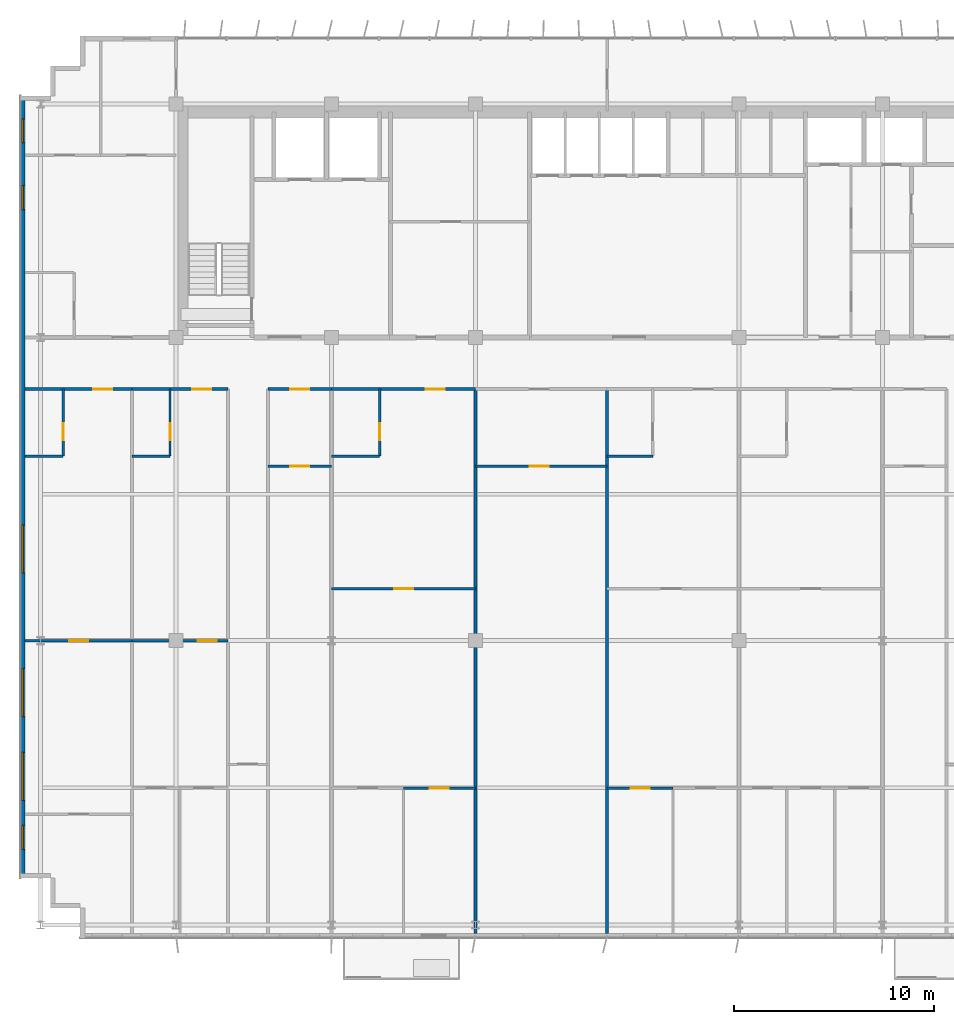
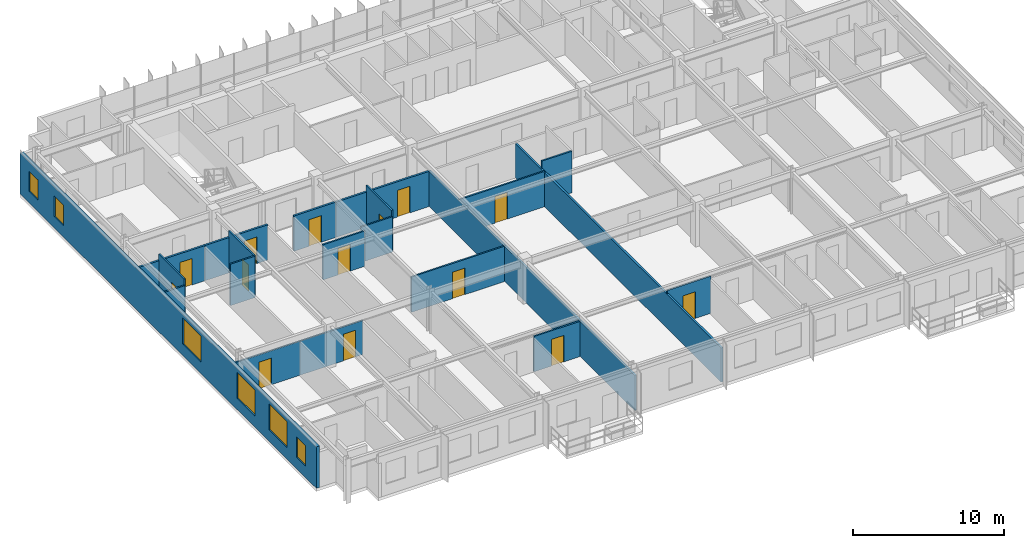
# One storey, part 15 of 21: 21 walls, 14 doors, 6 windows, 20 openings.
"""IFC4 building model written with IfcOpenShell, lengths in metres."""

import ifcopenshell
import ifcopenshell.guid

model = None  # the IFC model being written
_history = None  # IfcOwnerHistory: only IFC2X3 demands one
_inside = {}  # id of a spatial element -> (the spatial element, [elements in it])
_under = {}  # id of a project, library or spatial element -> (it, [spatial elements below it])
_declared = {}  # id of a project -> (the project, [libraries it declares])
_typed = {}  # id of a type object -> (the type object, [elements of that type])
_made_of = {}  # id of a material, layer set ... -> (it, [elements and type objects made of it])


def new_model(schema):
    """Start an empty IFC model of exactly this schema.

    Asked for "IFC4X3", IfcOpenShell would pick the latest addendum, in which some entities
    have other attributes; the version numbers below select the first issue.
    IFC2X3 requires an IfcOwnerHistory on every rooted entity: one is made here for all.
    """
    global model, _history
    if schema == "IFC4X3":
        model = ifcopenshell.file(schema_version=(4, 3, 0, 0))
    else:
        model = ifcopenshell.file(schema=schema)
    _inside.clear()
    _under.clear()
    _declared.clear()
    _typed.clear()
    _made_of.clear()
    _history = None
    if model.schema == "IFC2X3":
        org = make("IfcOrganization", Name="unknown")
        user = make(
            "IfcPersonAndOrganization",
            ThePerson=make("IfcPerson", FamilyName="unknown"),
            TheOrganization=org,
        )
        app = make(
            "IfcApplication",
            ApplicationDeveloper=org,
            Version="unknown",
            ApplicationFullName="unknown",
            ApplicationIdentifier="unknown",
        )
        _history = make(
            "IfcOwnerHistory",
            OwningUser=user,
            OwningApplication=app,
            ChangeAction="ADDED",
            CreationDate=0,
        )
    return model


def make(cls, **values):
    """One entity of the class cls with the attributes given. An attribute that is None is left unset."""
    return model.create_entity(
        cls, **{name: value for name, value in values.items() if value is not None}
    )


def rooted(cls, **values):
    """An entity with a GlobalId (a new one), such as an element, a storey or a relation."""
    return make(cls, GlobalId=ifcopenshell.guid.new(), OwnerHistory=_history, **values)


def si_unit(unit_type, name, prefix=None):
    """IfcSIUnit, for example si_unit("LENGTHUNIT", "METRE", prefix="MILLI")."""
    return make("IfcSIUnit", UnitType=unit_type, Prefix=prefix, Name=name)


def assignment(units):
    """IfcUnitAssignment: the units of a project."""
    return None if units is None else make("IfcUnitAssignment", Units=units)


def point(xyz):
    """IfcCartesianPoint."""
    return None if xyz is None else make("IfcCartesianPoint", Coordinates=xyz)


def direction(xyz):
    """IfcDirection."""
    return None if xyz is None else make("IfcDirection", DirectionRatios=xyz)


def frame(location, z_axis=None, x_axis=None):
    """IfcAxis2Placement3D, a coordinate frame: its origin and axes. An axis left out is left unset."""
    return make(
        "IfcAxis2Placement3D",
        Location=point(location),
        Axis=direction(z_axis),
        RefDirection=direction(x_axis),
    )


def frame_2d(location, x_axis=None):
    """IfcAxis2Placement2D, a coordinate frame in the plane: its origin and x axis."""
    return make(
        "IfcAxis2Placement2D", Location=point(location), RefDirection=direction(x_axis)
    )


def origin():
    """The frame at (0, 0, 0) with its axes left unset."""
    return frame((0.0, 0.0, 0.0))


def place(relative_to, where):
    """IfcLocalPlacement: puts the frame where relative to a parent placement (None: the world)."""
    return make(
        "IfcLocalPlacement", PlacementRelTo=relative_to, RelativePlacement=where
    )


def context(
    kind, dimensions, precision=None, world=None, true_north=None, identifier=None
):
    """IfcGeometricRepresentationContext, for example the 3D "Model" context."""
    return make(
        "IfcGeometricRepresentationContext",
        ContextIdentifier=identifier,
        ContextType=kind,
        CoordinateSpaceDimension=dimensions,
        Precision=precision,
        WorldCoordinateSystem=world,
        TrueNorth=true_north,
    )


def subcontext(parent, identifier, kind, view, scale=None):
    """IfcGeometricRepresentationSubContext, for example "Body" below "Model"."""
    return make(
        "IfcGeometricRepresentationSubContext",
        ContextIdentifier=identifier,
        ContextType=kind,
        ParentContext=parent,
        TargetScale=scale,
        TargetView=view,
    )


def project(units=None, contexts=None):
    """IfcProject with its units and contexts."""
    return rooted(
        "IfcProject",
        Name="project",
        RepresentationContexts=contexts,
        UnitsInContext=assignment(units),
    )


def spatial(cls, under=None, at=None, **own):
    """A site, building, storey or space (cls), placed at a placement, below another one or the project."""
    s = rooted(cls, ObjectPlacement=at, **own)
    if under is not None:
        _under.setdefault(under.id(), (under, []))[1].append(s)
    return s


def profile(cls, at=None, kind="AREA", **sizes):
    """A parametric profile (cls). Its sizes go by their IFC names, for example OverallWidth=200.0."""
    return make(cls, ProfileType=kind, Position=at, **sizes)


def rectangle(**sizes):
    """IfcRectangleProfileDef."""
    return profile("IfcRectangleProfileDef", **sizes)


def extrude(swept, where, along, depth):
    """IfcExtrudedAreaSolid: the profile swept, set in the frame where, extruded along a direction by depth."""
    return make(
        "IfcExtrudedAreaSolid",
        SweptArea=swept,
        Position=where,
        ExtrudedDirection=direction(along),
        Depth=depth,
    )


def shape(context_of_items, identifier, shape_type, items):
    """IfcShapeRepresentation: the items that make up one representation, for example the "Body"."""
    return make(
        "IfcShapeRepresentation",
        ContextOfItems=context_of_items,
        RepresentationIdentifier=identifier,
        RepresentationType=shape_type,
        Items=items,
    )


def source(mapping_origin, context_of_items, identifier, shape_type, items):
    """IfcRepresentationMap: a shape defined once, which mapped items show again and again."""
    return make(
        "IfcRepresentationMap",
        MappingOrigin=mapping_origin,
        MappedRepresentation=shape(context_of_items, identifier, shape_type, items),
    )


def transform(
    local_origin,
    x_axis=None,
    y_axis=None,
    z_axis=None,
    scale=None,
    scale2=None,
    scale3=None,
    uniform=True,
):
    """IfcCartesianTransformationOperator3D, or its non-uniform kind. x_axis, y_axis, z_axis: its Axis1, 2, 3."""
    if uniform:
        return make(
            "IfcCartesianTransformationOperator3D",
            Axis1=direction(x_axis),
            Axis2=direction(y_axis),
            LocalOrigin=point(local_origin),
            Scale=scale,
            Axis3=direction(z_axis),
        )
    return make(
        "IfcCartesianTransformationOperator3DnonUniform",
        Axis1=direction(x_axis),
        Axis2=direction(y_axis),
        LocalOrigin=point(local_origin),
        Scale=scale,
        Axis3=direction(z_axis),
        Scale2=scale2,
        Scale3=scale3,
    )


def mapped(mapping_source, mapping_target):
    """IfcMappedItem: shows the shape of a source again, moved by a transform."""
    return make(
        "IfcMappedItem", MappingSource=mapping_source, MappingTarget=mapping_target
    )


def material(Name=None, Category=None):
    """IfcMaterial."""
    return make("IfcMaterial", Name=Name, Category=Category)


def layer(
    of_material, thickness, ventilated=None, Name=None, Category=None, Priority=None
):
    """IfcMaterialLayer: one layer of a wall or slab, of a material (None: an air gap)."""
    return make(
        "IfcMaterialLayer",
        Material=of_material,
        LayerThickness=thickness,
        IsVentilated=ventilated,
        Name=Name,
        Category=Category,
        Priority=Priority,
    )


def layer_set(layers, Name=None):
    """IfcMaterialLayerSet."""
    return make("IfcMaterialLayerSet", MaterialLayers=layers, LayerSetName=Name)


def made_of(thing, what):
    """Note that an element or type object is made of a material, layer set ...; save() writes the relation."""
    if what is not None:
        _made_of.setdefault(what.id(), (what, []))[1].append(thing)
    return thing


def type_object(cls, material=None, **own):
    """A type object (cls), such as IfcWallType, which elements share."""
    return made_of(rooted(cls, **own), material)


def element(
    cls,
    number,
    at=None,
    inside=None,
    cuts=None,
    type_object=None,
    material=None,
    context=None,
    identifier="Body",
    shape_type=None,
    held_by="IfcProductDefinitionShape",
    body=None,
    shapes=None,
    **own,
):
    """One element of the class cls, such as IfcWall. Its Tag is "e" and its number.

    at: its placement. inside: the storey or other place that contains it. cuts: it is an
    opening in that element (IfcRelVoidsElement). A single representation is given by context,
    identifier, shape_type and body (its items); several are given by shapes. held_by: the class
    of the entity that holds the representations. save() writes the other relations.
    """
    e = rooted(cls, Tag="e%d" % number, ObjectPlacement=at, **own)
    if body is not None:
        shapes = [shape(context, identifier, shape_type, body)]
    if shapes is not None:
        e.Representation = make(held_by, Representations=shapes)
    if inside is not None:
        _inside.setdefault(inside.id(), (inside, []))[1].append(e)
    if cuts is not None:
        rooted(
            "IfcRelVoidsElement", RelatingBuildingElement=cuts, RelatedOpeningElement=e
        )
    if type_object is not None:
        _typed.setdefault(type_object.id(), (type_object, []))[1].append(e)
    return made_of(e, material)


def fill(opening, filler):
    """IfcRelFillsElement: the door or window that sits in an opening."""
    return rooted(
        "IfcRelFillsElement",
        RelatingOpeningElement=opening,
        RelatedBuildingElement=filler,
    )


def aggregate(whole, parts):
    """IfcRelAggregates: a whole, such as a stair, and the parts it consists of."""
    return rooted("IfcRelAggregates", RelatingObject=whole, RelatedObjects=parts)


def save(model, path):
    """Write the relations noted so far, then the file.

    IfcRelAggregates (storeys below a building ...), IfcRelContainedInSpatialStructure (elements
    in a storey), IfcRelDefinesByType, IfcRelAssociatesMaterial and IfcRelDeclares: one each for
    every whole, place, type object, material and project.
    """
    for whole, parts in _under.values():
        aggregate(whole, parts)
    for where, things in _inside.values():
        rooted(
            "IfcRelContainedInSpatialStructure",
            RelatedElements=things,
            RelatingStructure=where,
        )
    for kind, things in _typed.values():
        rooted("IfcRelDefinesByType", RelatedObjects=things, RelatingType=kind)
    for what, things in _made_of.values():
        rooted("IfcRelAssociatesMaterial", RelatedObjects=things, RelatingMaterial=what)
    for by, libraries in _declared.values():
        rooted("IfcRelDeclares", RelatingContext=by, RelatedDefinitions=libraries)
    model.write(path)


model = new_model("IFC4")

# Units and contexts
model_context = context("Model", 3, precision=1e-05, world=origin(), true_north=direction((0.0, 1.0)))
body_context = subcontext(model_context, "Body", "Model", "MODEL_VIEW")
ifc_project = project(units=[si_unit("LENGTHUNIT", "METRE"), si_unit("AREAUNIT", "SQUARE_METRE"), si_unit("VOLUMEUNIT", "CUBIC_METRE"), si_unit("PLANEANGLEUNIT", "RADIAN"), si_unit("MASSUNIT", "GRAM", prefix="KILO")], contexts=[model_context])

# Site, building, storey
site_placement = place(None, origin())
site = spatial("IfcSite", under=ifc_project, at=site_placement, CompositionType="ELEMENT")
building_placement = place(site_placement, origin())
building = spatial("IfcBuilding", under=site, at=building_placement, Name="Trelvane Seafront Commons", CompositionType="ELEMENT")
storey_placement = place(building_placement, frame((0.0, 0.0, 135.699951171875)))
storey = spatial("IfcBuildingStorey", under=building, at=storey_placement, Name="L35", CompositionType="ELEMENT", Elevation=135.699951171875)

# Wall, openings, windows
ifc_material_1 = material(Name="Precast concrete C40/50", Category="concrete")
ifc_layer_1 = layer(ifc_material_1, 0.239990234375, Name="ARCH-WALL-EXT240")
ifc_layer_set_1 = layer_set([ifc_layer_1], Name="Precast concrete C40/50")
wall_type_1 = type_object("IfcWallType", Name="ARCH-WALL-EXT240", PredefinedType="SOLIDWALL", material=ifc_layer_set_1)
wall_1_placement = place(storey_placement, frame((7.919921875, 6.300048828125, 0.0), z_axis=(0.0, 0.0, 1.0), x_axis=(0.0, 1.0, 0.0)))
wall_1 = element("IfcWall", 1, at=wall_1_placement, inside=storey, type_object=wall_type_1, Name="EW-L35-00679", PredefinedType="SOLIDWALL", context=body_context, shape_type="SweptSolid", body=[
    extrude(rectangle(XDim=39.199951171875, YDim=0.239990234375, at=frame_2d((19.60009765625, 0.0))), origin(), (0.0, 0.0, 1.0), 3.35009765625),
])
opening_1_placement = place(wall_1_placement, frame((1.449951171875, 0.0, 0.919921875)))
opening_1 = element("IfcOpeningElement", 2, at=opening_1_placement, cuts=wall_1, Name="Opening W05", PredefinedType="OPENING", context=body_context, shape_type="SweptSolid", body=[
    extrude(rectangle(XDim=1.199951171875, YDim=1.64990234375, at=frame_2d((0.60009765625, 0.824951171875))), frame((0.0, 0.1298828125, 0.0), z_axis=(0.0, -1.0, 0.0), x_axis=(1.0, 0.0, 0.0)), (0.0, 0.0, 1.0), 0.260009765625),
])
opening_2_placement = place(wall_1_placement, frame((3.89990234375, 0.0, 0.919921875)))
opening_2 = element("IfcOpeningElement", 3, at=opening_2_placement, cuts=wall_1, Name="Opening W08", PredefinedType="OPENING", context=body_context, shape_type="SweptSolid", body=[
    extrude(rectangle(XDim=2.39990234375, YDim=2.10009765625, at=frame_2d((1.199951171875, 1.050048828125))), frame((0.0, 0.1298828125, 0.0), z_axis=(0.0, -1.0, 0.0), x_axis=(1.0, 0.0, 0.0)), (0.0, 0.0, 1.0), 0.260009765625),
])
opening_3_placement = place(wall_1_placement, frame((8.10009765625, 0.0, 0.919921875)))
opening_3 = element("IfcOpeningElement", 4, at=opening_3_placement, cuts=wall_1, Name="Opening W08", PredefinedType="OPENING", context=body_context, shape_type="SweptSolid", body=[
    extrude(rectangle(XDim=2.39990234375, YDim=2.10009765625, at=frame_2d((1.199951171875, 1.050048828125))), frame((0.0, 0.1298828125, 0.0), z_axis=(0.0, -1.0, 0.0), x_axis=(1.0, 0.0, 0.0)), (0.0, 0.0, 1.0), 0.260009765625),
])
opening_4_placement = place(wall_1_placement, frame((15.300048828125, 0.0, 0.919921875)))
opening_4 = element("IfcOpeningElement", 5, at=opening_4_placement, cuts=wall_1, Name="Opening W08", PredefinedType="OPENING", context=body_context, shape_type="SweptSolid", body=[
    extrude(rectangle(XDim=2.39990234375, YDim=2.10009765625, at=frame_2d((1.199951171875, 1.050048828125))), frame((0.0, 0.1298828125, 0.0), z_axis=(0.0, -1.0, 0.0), x_axis=(1.0, 0.0, 0.0)), (0.0, 0.0, 1.0), 0.260009765625),
])
opening_5_placement = place(wall_1_placement, frame((33.5, 0.0, 0.919921875)))
opening_5 = element("IfcOpeningElement", 6, at=opening_5_placement, cuts=wall_1, Name="Opening W05", PredefinedType="OPENING", context=body_context, shape_type="SweptSolid", body=[
    extrude(rectangle(XDim=1.199951171875, YDim=1.64990234375, at=frame_2d((0.60009765625, 0.824951171875))), frame((0.0, 0.1298828125, 0.0), z_axis=(0.0, -1.0, 0.0), x_axis=(1.0, 0.0, 0.0)), (0.0, 0.0, 1.0), 0.260009765625),
])
opening_6_placement = place(wall_1_placement, frame((36.85009765625, 0.0, 0.919921875)))
opening_6 = element("IfcOpeningElement", 7, at=opening_6_placement, cuts=wall_1, Name="Opening W05", PredefinedType="OPENING", context=body_context, shape_type="SweptSolid", body=[
    extrude(rectangle(XDim=1.199951171875, YDim=1.64990234375, at=frame_2d((0.60009765625, 0.824951171875))), frame((0.0, 0.1298828125, 0.0), z_axis=(0.0, -1.0, 0.0), x_axis=(1.0, 0.0, 0.0)), (0.0, 0.0, 1.0), 0.260009765625),
])
ifc_material_2 = material(Name="Low-E coastal double glazing", Category="glass")
window_type_1 = type_object("IfcWindowType", Name="ARCH-WIN-W08", PartitioningType="SINGLE_PANEL", PredefinedType="WINDOW", material=ifc_material_2)
shared_shape_1 = source(origin(), body_context, "Body", "SweptSolid", [
    extrude(rectangle(XDim=2.39990234375, YDim=2.10009765625, at=frame_2d((1.199951171875, 1.050048828125))), frame((0.0, 0.030029296875, 0.0), z_axis=(0.0, -1.0, 0.0), x_axis=(1.0, 0.0, 0.0)), (0.0, 0.0, 1.0), 0.06005859375),
])
window_1_placement = place(opening_2_placement, origin())
window_1 = element("IfcWindow", 8, at=window_1_placement, inside=storey, type_object=window_type_1, Name="WIN-L35-EW-00791", OverallHeight=2.10009765625, OverallWidth=2.39990234375, PartitioningType="SINGLE_PANEL", PredefinedType="WINDOW", context=body_context, shape_type="MappedRepresentation", body=[
    mapped(shared_shape_1, transform((0.0, 0.0, 0.0), x_axis=(1.0, 0.0, 0.0), y_axis=(0.0, 1.0, 0.0), z_axis=(0.0, 0.0, 1.0), scale=1.0)),
])
fill(opening_2, window_1)
window_2_placement = place(opening_3_placement, origin())
window_2 = element("IfcWindow", 9, at=window_2_placement, inside=storey, type_object=window_type_1, Name="WIN-L35-EW-00792", OverallHeight=2.10009765625, OverallWidth=2.39990234375, PartitioningType="SINGLE_PANEL", PredefinedType="WINDOW", context=body_context, shape_type="MappedRepresentation", body=[
    mapped(shared_shape_1, transform((0.0, 0.0, 0.0), x_axis=(1.0, 0.0, 0.0), y_axis=(0.0, 1.0, 0.0), z_axis=(0.0, 0.0, 1.0), scale=1.0)),
])
fill(opening_3, window_2)
window_3_placement = place(opening_4_placement, origin())
window_3 = element("IfcWindow", 10, at=window_3_placement, inside=storey, type_object=window_type_1, Name="WIN-L35-EW-00793", OverallHeight=2.10009765625, OverallWidth=2.39990234375, PartitioningType="SINGLE_PANEL", PredefinedType="WINDOW", context=body_context, shape_type="MappedRepresentation", body=[
    mapped(shared_shape_1, transform((0.0, 0.0, 0.0), x_axis=(1.0, 0.0, 0.0), y_axis=(0.0, 1.0, 0.0), z_axis=(0.0, 0.0, 1.0), scale=1.0)),
])
fill(opening_4, window_3)
window_type_2 = type_object("IfcWindowType", Name="ARCH-WIN-W05", PartitioningType="SINGLE_PANEL", PredefinedType="WINDOW", material=ifc_material_2)
shared_shape_2 = source(origin(), body_context, "Body", "SweptSolid", [
    extrude(rectangle(XDim=1.199951171875, YDim=1.64990234375, at=frame_2d((0.60009765625, 0.824951171875))), frame((0.0, 0.030029296875, 0.0), z_axis=(0.0, -1.0, 0.0), x_axis=(1.0, 0.0, 0.0)), (0.0, 0.0, 1.0), 0.06005859375),
])
window_4_placement = place(opening_1_placement, origin())
window_4 = element("IfcWindow", 11, at=window_4_placement, inside=storey, type_object=window_type_2, Name="WIN-L35-EW-00790", OverallHeight=1.64990234375, OverallWidth=1.199951171875, PartitioningType="SINGLE_PANEL", PredefinedType="WINDOW", context=body_context, shape_type="MappedRepresentation", body=[
    mapped(shared_shape_2, transform((0.0, 0.0, 0.0), x_axis=(1.0, 0.0, 0.0), y_axis=(0.0, 1.0, 0.0), z_axis=(0.0, 0.0, 1.0), scale=1.0)),
])
fill(opening_1, window_4)
window_5_placement = place(opening_5_placement, origin())
window_5 = element("IfcWindow", 12, at=window_5_placement, inside=storey, type_object=window_type_2, Name="WIN-L35-EW-00794", OverallHeight=1.64990234375, OverallWidth=1.199951171875, PartitioningType="SINGLE_PANEL", PredefinedType="WINDOW", context=body_context, shape_type="MappedRepresentation", body=[
    mapped(shared_shape_2, transform((0.0, 0.0, 0.0), x_axis=(1.0, 0.0, 0.0), y_axis=(0.0, 1.0, 0.0), z_axis=(0.0, 0.0, 1.0), scale=1.0)),
])
fill(opening_5, window_5)
window_6_placement = place(opening_6_placement, origin())
window_6 = element("IfcWindow", 13, at=window_6_placement, inside=storey, type_object=window_type_2, Name="WIN-L35-EW-00795", OverallHeight=1.64990234375, OverallWidth=1.199951171875, PartitioningType="SINGLE_PANEL", PredefinedType="WINDOW", context=body_context, shape_type="MappedRepresentation", body=[
    mapped(shared_shape_2, transform((0.0, 0.0, 0.0), x_axis=(1.0, 0.0, 0.0), y_axis=(0.0, 1.0, 0.0), z_axis=(0.0, 0.0, 1.0), scale=1.0)),
])
fill(opening_6, window_6)

# Wall, opening, door
ifc_material_3 = material(Name="Gypsum Drywall Acoustic Partition")
ifc_layer_2 = layer(ifc_material_3, 0.1201171875, Name="ARCH-WALL-PART120")
ifc_layer_set_2 = layer_set([ifc_layer_2], Name="Gypsum Drywall Acoustic Partition")
wall_type_2 = type_object("IfcWallType", Name="ARCH-WALL-PART120", PredefinedType="PARTITIONING", material=ifc_layer_set_2)
wall_2_placement = place(storey_placement, frame((8.0400390625, 18.199951171875, 0.0), z_axis=(0.0, 0.0, 1.0), x_axis=(1.0, 0.0, 0.0)))
wall_2 = element("IfcWall", 14, at=wall_2_placement, inside=storey, type_object=wall_type_2, Name="W-L35-U1-KL-058", PredefinedType="PARTITIONING", context=body_context, shape_type="SweptSolid", body=[
    extrude(rectangle(XDim=5.35986328125, YDim=0.1201171875, at=frame_2d((2.679931640625, 0.0))), origin(), (0.0, 0.0, 1.0), 2.75),
])
opening_7_placement = place(wall_2_placement, frame((2.205078125, 0.0, 0.0)))
opening_7 = element("IfcOpeningElement", 15, at=opening_7_placement, cuts=wall_2, Name="Opening D-L35-31", PredefinedType="OPENING", context=body_context, shape_type="SweptSolid", body=[
    extrude(rectangle(XDim=0.949951171875, YDim=2.14990234375, at=frame_2d((0.47509765625, 1.074951171875))), frame((0.0, 0.070068359375, 0.0), z_axis=(0.0, -1.0, 0.0), x_axis=(1.0, 0.0, 0.0)), (0.0, 0.0, 1.0), 0.14013671875),
])
ifc_material_4 = material(Name="Acoustic timber door leaf", Category="wood")
door_type_1 = type_object("IfcDoorType", Name="ARCH-DR-INT950", OperationType="NOTDEFINED", PredefinedType="DOOR", material=ifc_material_4)
shared_shape_3 = source(origin(), body_context, "Body", "SweptSolid", [
    extrude(rectangle(XDim=0.949951171875, YDim=2.14990234375, at=frame_2d((0.47509765625, 1.074951171875))), frame((0.0, 0.02490234375, 0.0), z_axis=(0.0, -1.0, 0.0), x_axis=(1.0, 0.0, 0.0)), (0.0, 0.0, 1.0), 0.050048828125),
])
door_1_placement = place(opening_7_placement, origin())
door_1 = element("IfcDoor", 16, at=door_1_placement, inside=storey, type_object=door_type_1, Name="L35 Door 31", OperationType="SINGLE_SWING_LEFT", OverallHeight=2.14990234375, OverallWidth=0.949951171875, PredefinedType="DOOR", context=body_context, shape_type="MappedRepresentation", body=[
    mapped(shared_shape_3, transform((0.0, 0.0, 0.0), x_axis=(1.0, 0.0, 0.0), y_axis=(0.0, 1.0, 0.0), z_axis=(0.0, 0.0, 1.0), scale=1.0)),
])
fill(opening_7, door_1)

wall_3_placement = place(storey_placement, frame((9.93994140625, 27.449951171875, 0.0), z_axis=(0.0, 0.0, 1.0), x_axis=(0.0, 1.0, 0.0)))
wall_3 = element("IfcWall", 17, at=wall_3_placement, inside=storey, type_object=wall_type_2, Name="W-L35-U1-BE-059", PredefinedType="PARTITIONING", context=body_context, shape_type="SweptSolid", body=[
    extrude(rectangle(XDim=3.35009765625, YDim=0.1201171875, at=frame_2d((1.675048828125, 0.0))), origin(), (0.0, 0.0, 1.0), 3.35009765625),
])
opening_8_placement = place(wall_3_placement, frame((0.800048828125, 0.0, 0.0)))
opening_8 = element("IfcOpeningElement", 18, at=opening_8_placement, cuts=wall_3, Name="Opening D-L35-32", PredefinedType="OPENING", context=body_context, shape_type="SweptSolid", body=[
    extrude(rectangle(XDim=0.85009765625, YDim=2.10009765625, at=frame_2d((0.425048828125, 1.050048828125))), frame((0.0, 0.070068359375, 0.0), z_axis=(0.0, -1.0, 0.0), x_axis=(1.0, 0.0, 0.0)), (0.0, 0.0, 1.0), 0.14013671875),
])
door_type_2 = type_object("IfcDoorType", Name="ARCH-DR-INT850", OperationType="NOTDEFINED", PredefinedType="DOOR", material=ifc_material_4)
shared_shape_4 = source(origin(), body_context, "Body", "SweptSolid", [
    extrude(rectangle(XDim=0.85009765625, YDim=2.10009765625, at=frame_2d((0.425048828125, 1.050048828125))), frame((0.0, 0.02490234375, 0.0), z_axis=(0.0, -1.0, 0.0), x_axis=(1.0, 0.0, 0.0)), (0.0, 0.0, 1.0), 0.050048828125),
])
door_2_placement = place(opening_8_placement, origin())
door_2 = element("IfcDoor", 19, at=door_2_placement, inside=storey, type_object=door_type_2, Name="L35 Door 32", OperationType="SINGLE_SWING_RIGHT", OverallHeight=2.10009765625, OverallWidth=0.85009765625, PredefinedType="DOOR", context=body_context, shape_type="MappedRepresentation", body=[
    mapped(shared_shape_4, transform((0.0, 0.0, 0.0), x_axis=(1.0, 0.0, 0.0), y_axis=(0.0, 1.0, 0.0), z_axis=(0.0, 0.0, 1.0), scale=1.0)),
])
fill(opening_8, door_2)

# Wall
wall_4_placement = place(storey_placement, frame((8.0400390625, 27.449951171875, 0.0), z_axis=(0.0, 0.0, 1.0), x_axis=(1.0, 0.0, 0.0)))
element("IfcWall", 20, at=wall_4_placement, inside=storey, type_object=wall_type_2, Name="W-L35-U1-BS-060", PredefinedType="PARTITIONING", context=body_context, shape_type="SweptSolid", body=[
    extrude(rectangle(XDim=1.89990234375, YDim=0.1201171875, at=frame_2d((0.949951171875, 0.0))), origin(), (0.0, 0.0, 1.0), 2.85009765625),
])

# Wall, opening, door
wall_5_placement = place(storey_placement, frame((13.39990234375, 18.199951171875, 0.0), z_axis=(0.0, 0.0, 1.0), x_axis=(1.0, 0.0, 0.0)))
wall_5 = element("IfcWall", 21, at=wall_5_placement, inside=storey, type_object=wall_type_2, Name="W-L35-U2-KL-063", PredefinedType="PARTITIONING", context=body_context, shape_type="SweptSolid", body=[
    extrude(rectangle(XDim=4.800048828125, YDim=0.1201171875, at=frame_2d((2.39990234375, 0.0))), origin(), (0.0, 0.0, 1.0), 2.75),
])
opening_9_placement = place(wall_5_placement, frame((3.2880859375, 0.0, 0.0)))
opening_9 = element("IfcOpeningElement", 22, at=opening_9_placement, cuts=wall_5, Name="Opening D-L35-35", PredefinedType="OPENING", context=body_context, shape_type="SweptSolid", body=[
    extrude(rectangle(XDim=0.949951171875, YDim=2.14990234375, at=frame_2d((0.47509765625, 1.074951171875))), frame((0.0, 0.070068359375, 0.0), z_axis=(0.0, -1.0, 0.0), x_axis=(1.0, 0.0, 0.0)), (0.0, 0.0, 1.0), 0.14013671875),
])
door_3_placement = place(opening_9_placement, origin())
door_3 = element("IfcDoor", 23, at=door_3_placement, inside=storey, type_object=door_type_1, Name="L35 Door 35", OperationType="SINGLE_SWING_LEFT", OverallHeight=2.14990234375, OverallWidth=0.949951171875, PredefinedType="DOOR", context=body_context, shape_type="MappedRepresentation", body=[
    mapped(shared_shape_3, transform((0.0, 0.0, 0.0), x_axis=(1.0, 0.0, 0.0), y_axis=(0.0, 1.0, 0.0), z_axis=(0.0, 0.0, 1.0), scale=1.0)),
])
fill(opening_9, door_3)

wall_6_placement = place(storey_placement, frame((15.300048828125, 27.449951171875, 0.0), z_axis=(0.0, 0.0, 1.0), x_axis=(0.0, 1.0, 0.0)))
wall_6 = element("IfcWall", 24, at=wall_6_placement, inside=storey, type_object=wall_type_2, Name="W-L35-U2-BE-064", PredefinedType="PARTITIONING", context=body_context, shape_type="SweptSolid", body=[
    extrude(rectangle(XDim=3.35009765625, YDim=0.1201171875, at=frame_2d((1.675048828125, 0.0))), origin(), (0.0, 0.0, 1.0), 3.35009765625),
])
opening_10_placement = place(wall_6_placement, frame((0.800048828125, 0.0, 0.0)))
opening_10 = element("IfcOpeningElement", 25, at=opening_10_placement, cuts=wall_6, Name="Opening D-L35-36", PredefinedType="OPENING", context=body_context, shape_type="SweptSolid", body=[
    extrude(rectangle(XDim=0.85009765625, YDim=2.10009765625, at=frame_2d((0.425048828125, 1.050048828125))), frame((0.0, 0.070068359375, 0.0), z_axis=(0.0, -1.0, 0.0), x_axis=(1.0, 0.0, 0.0)), (0.0, 0.0, 1.0), 0.14013671875),
])
door_4_placement = place(opening_10_placement, origin())
door_4 = element("IfcDoor", 26, at=door_4_placement, inside=storey, type_object=door_type_2, Name="L35 Door 36", OperationType="SINGLE_SWING_RIGHT", OverallHeight=2.10009765625, OverallWidth=0.85009765625, PredefinedType="DOOR", context=body_context, shape_type="MappedRepresentation", body=[
    mapped(shared_shape_4, transform((0.0, 0.0, 0.0), x_axis=(1.0, 0.0, 0.0), y_axis=(0.0, 1.0, 0.0), z_axis=(0.0, 0.0, 1.0), scale=1.0)),
])
fill(opening_10, door_4)

# Wall
wall_7_placement = place(storey_placement, frame((13.39990234375, 27.449951171875, 0.0), z_axis=(0.0, 0.0, 1.0), x_axis=(1.0, 0.0, 0.0)))
element("IfcWall", 27, at=wall_7_placement, inside=storey, type_object=wall_type_2, Name="W-L35-U2-BS-065", PredefinedType="PARTITIONING", context=body_context, shape_type="SweptSolid", body=[
    extrude(rectangle(XDim=1.900146484375, YDim=0.1201171875, at=frame_2d((0.9501953125, 0.0))), origin(), (0.0, 0.0, 1.0), 3.35009765625),
])

# Wall, opening, door
wall_8_placement = place(storey_placement, frame((20.199951171875, 26.949951171875, 0.0), z_axis=(0.0, 0.0, 1.0), x_axis=(1.0, 0.0, 0.0)))
wall_8 = element("IfcWall", 28, at=wall_8_placement, inside=storey, type_object=wall_type_2, Name="W-L35-U4-DIV-074", PredefinedType="PARTITIONING", context=body_context, shape_type="SweptSolid", body=[
    extrude(rectangle(XDim=3.199951171875, YDim=0.1201171875, at=frame_2d((1.60009765625, 0.0))), origin(), (0.0, 0.0, 1.0), 2.85009765625),
])
opening_11_placement = place(wall_8_placement, frame((1.125, 0.0, 0.0)))
opening_11 = element("IfcOpeningElement", 29, at=opening_11_placement, cuts=wall_8, Name="Opening D-L35-42", PredefinedType="OPENING", context=body_context, shape_type="SweptSolid", body=[
    extrude(rectangle(XDim=0.949951171875, YDim=2.14990234375, at=frame_2d((0.47509765625, 1.074951171875))), frame((0.0, 0.070068359375, 0.0), z_axis=(0.0, -1.0, 0.0), x_axis=(1.0, 0.0, 0.0)), (0.0, 0.0, 1.0), 0.14013671875),
])
door_5_placement = place(opening_11_placement, origin())
door_5 = element("IfcDoor", 30, at=door_5_placement, inside=storey, type_object=door_type_1, Name="L35 Door 42", OperationType="SINGLE_SWING_RIGHT", OverallHeight=2.14990234375, OverallWidth=0.949951171875, PredefinedType="DOOR", context=body_context, shape_type="MappedRepresentation", body=[
    mapped(shared_shape_3, transform((0.0, 0.0, 0.0), x_axis=(1.0, 0.0, 0.0), y_axis=(0.0, 1.0, 0.0), z_axis=(0.0, 0.0, 1.0), scale=1.0)),
])
fill(opening_11, door_5)

wall_9_placement = place(storey_placement, frame((23.39990234375, 20.800048828125, 0.0), z_axis=(0.0, 0.0, 1.0), x_axis=(1.0, 0.0, 0.0)))
wall_9 = element("IfcWall", 31, at=wall_9_placement, inside=storey, type_object=wall_type_2, Name="W-L35-U5-KL-075", PredefinedType="PARTITIONING", context=body_context, shape_type="SweptSolid", body=[
    extrude(rectangle(XDim=7.2001953125, YDim=0.1201171875, at=frame_2d((3.60009765625, 0.0))), origin(), (0.0, 0.0, 1.0), 2.85009765625),
])
opening_12_placement = place(wall_9_placement, frame((3.125, 0.0, 0.0)))
opening_12 = element("IfcOpeningElement", 32, at=opening_12_placement, cuts=wall_9, Name="Opening D-L35-43", PredefinedType="OPENING", context=body_context, shape_type="SweptSolid", body=[
    extrude(rectangle(XDim=0.949951171875, YDim=2.14990234375, at=frame_2d((0.47509765625, 1.074951171875))), frame((0.0, 0.070068359375, 0.0), z_axis=(0.0, -1.0, 0.0), x_axis=(1.0, 0.0, 0.0)), (0.0, 0.0, 1.0), 0.14013671875),
])
door_6_placement = place(opening_12_placement, origin())
door_6 = element("IfcDoor", 33, at=door_6_placement, inside=storey, type_object=door_type_1, Name="L35 Door 43", OperationType="SINGLE_SWING_LEFT", OverallHeight=2.14990234375, OverallWidth=0.949951171875, PredefinedType="DOOR", context=body_context, shape_type="MappedRepresentation", body=[
    mapped(shared_shape_3, transform((0.0, 0.0, 0.0), x_axis=(1.0, 0.0, 0.0), y_axis=(0.0, 1.0, 0.0), z_axis=(0.0, 0.0, 1.0), scale=1.0)),
])
fill(opening_12, door_6)

wall_10_placement = place(storey_placement, frame((25.800048828125, 27.449951171875, 0.0), z_axis=(0.0, 0.0, 1.0), x_axis=(0.0, 1.0, 0.0)))
wall_10 = element("IfcWall", 34, at=wall_10_placement, inside=storey, type_object=wall_type_2, Name="W-L35-U5-BE-076", PredefinedType="PARTITIONING", context=body_context, shape_type="SweptSolid", body=[
    extrude(rectangle(XDim=3.35009765625, YDim=0.1201171875, at=frame_2d((1.675048828125, 0.0))), origin(), (0.0, 0.0, 1.0), 3.35009765625),
])
opening_13_placement = place(wall_10_placement, frame((0.800048828125, 0.0, 0.0)))
opening_13 = element("IfcOpeningElement", 35, at=opening_13_placement, cuts=wall_10, Name="Opening D-L35-44", PredefinedType="OPENING", context=body_context, shape_type="SweptSolid", body=[
    extrude(rectangle(XDim=0.85009765625, YDim=2.10009765625, at=frame_2d((0.425048828125, 1.050048828125))), frame((0.0, 0.070068359375, 0.0), z_axis=(0.0, -1.0, 0.0), x_axis=(1.0, 0.0, 0.0)), (0.0, 0.0, 1.0), 0.14013671875),
])
door_7_placement = place(opening_13_placement, origin())
door_7 = element("IfcDoor", 36, at=door_7_placement, inside=storey, type_object=door_type_2, Name="L35 Door 44", OperationType="SINGLE_SWING_RIGHT", OverallHeight=2.10009765625, OverallWidth=0.85009765625, PredefinedType="DOOR", context=body_context, shape_type="MappedRepresentation", body=[
    mapped(shared_shape_4, transform((0.0, 0.0, 0.0), x_axis=(1.0, 0.0, 0.0), y_axis=(0.0, 1.0, 0.0), z_axis=(0.0, 0.0, 1.0), scale=1.0)),
])
fill(opening_13, door_7)

# Wall
wall_11_placement = place(storey_placement, frame((23.39990234375, 27.449951171875, 0.0), z_axis=(0.0, 0.0, 1.0), x_axis=(1.0, 0.0, 0.0)))
element("IfcWall", 37, at=wall_11_placement, inside=storey, type_object=wall_type_2, Name="W-L35-U5-BS-077", PredefinedType="PARTITIONING", context=body_context, shape_type="SweptSolid", body=[
    extrude(rectangle(XDim=2.400146484375, YDim=0.1201171875, at=frame_2d((1.2001953125, 0.0))), origin(), (0.0, 0.0, 1.0), 2.85009765625),
])

# Wall, opening, door
wall_12_placement = place(storey_placement, frame((27.0, 10.800048828125, 0.0), z_axis=(0.0, 0.0, 1.0), x_axis=(1.0, 0.0, 0.0)))
wall_12 = element("IfcWall", 38, at=wall_12_placement, inside=storey, type_object=wall_type_2, Name="W-L35-U5-YM-2-080", PredefinedType="PARTITIONING", context=body_context, shape_type="SweptSolid", body=[
    extrude(rectangle(XDim=3.60009765625, YDim=0.1201171875, at=frame_2d((1.800048828125, 0.0))), origin(), (0.0, 0.0, 1.0), 2.85009765625),
])
opening_14_placement = place(wall_12_placement, frame((1.324951171875, 0.0, 0.0)))
opening_14 = element("IfcOpeningElement", 39, at=opening_14_placement, cuts=wall_12, Name="Opening D-L35-47", PredefinedType="OPENING", context=body_context, shape_type="SweptSolid", body=[
    extrude(rectangle(XDim=0.949951171875, YDim=2.14990234375, at=frame_2d((0.47509765625, 1.074951171875))), frame((0.0, 0.070068359375, 0.0), z_axis=(0.0, -1.0, 0.0), x_axis=(1.0, 0.0, 0.0)), (0.0, 0.0, 1.0), 0.14013671875),
])
door_8_placement = place(opening_14_placement, origin())
door_8 = element("IfcDoor", 40, at=door_8_placement, inside=storey, type_object=door_type_1, Name="L35 Door 47", OperationType="SINGLE_SWING_LEFT", OverallHeight=2.14990234375, OverallWidth=0.949951171875, PredefinedType="DOOR", context=body_context, shape_type="MappedRepresentation", body=[
    mapped(shared_shape_3, transform((0.0, 0.0, 0.0), x_axis=(1.0, 0.0, 0.0), y_axis=(0.0, 1.0, 0.0), z_axis=(0.0, 0.0, 1.0), scale=1.0)),
])
fill(opening_14, door_8)

wall_13_placement = place(storey_placement, frame((30.60009765625, 26.949951171875, 0.0), z_axis=(0.0, 0.0, 1.0), x_axis=(1.0, 0.0, 0.0)))
wall_13 = element("IfcWall", 41, at=wall_13_placement, inside=storey, type_object=wall_type_2, Name="W-L35-U6-DIV-083", PredefinedType="PARTITIONING", context=body_context, shape_type="SweptSolid", body=[
    extrude(rectangle(XDim=6.599853515625, YDim=0.1201171875, at=frame_2d((3.2998046875, 0.0))), origin(), (0.0, 0.0, 1.0), 2.85009765625),
])
opening_15_placement = place(wall_13_placement, frame((2.73388671875, 0.0, 0.0)))
opening_15 = element("IfcOpeningElement", 42, at=opening_15_placement, cuts=wall_13, Name="Opening D-L35-49", PredefinedType="OPENING", context=body_context, shape_type="SweptSolid", body=[
    extrude(rectangle(XDim=0.949951171875, YDim=2.14990234375, at=frame_2d((0.47509765625, 1.074951171875))), frame((0.0, 0.070068359375, 0.0), z_axis=(0.0, -1.0, 0.0), x_axis=(1.0, 0.0, 0.0)), (0.0, 0.0, 1.0), 0.14013671875),
])
door_9_placement = place(opening_15_placement, origin())
door_9 = element("IfcDoor", 43, at=door_9_placement, inside=storey, type_object=door_type_1, Name="L35 Door 49", OperationType="SINGLE_SWING_LEFT", OverallHeight=2.14990234375, OverallWidth=0.949951171875, PredefinedType="DOOR", context=body_context, shape_type="MappedRepresentation", body=[
    mapped(shared_shape_3, transform((0.0, 0.0, 0.0), x_axis=(1.0, 0.0, 0.0), y_axis=(0.0, 1.0, 0.0), z_axis=(0.0, 0.0, 1.0), scale=1.0)),
])
fill(opening_15, door_9)

# Wall
wall_14_placement = place(storey_placement, frame((37.199951171875, 27.449951171875, 0.0), z_axis=(0.0, 0.0, 1.0), x_axis=(1.0, 0.0, 0.0)))
element("IfcWall", 44, at=wall_14_placement, inside=storey, type_object=wall_type_2, Name="W-L35-U7-BS-086", PredefinedType="PARTITIONING", context=body_context, shape_type="SweptSolid", body=[
    extrude(rectangle(XDim=2.2939453125, YDim=0.1201171875, at=frame_2d((1.14697265625, 0.0))), origin(), (0.0, 0.0, 1.0), 3.35009765625),
])

# Wall, opening, door
wall_15_placement = place(storey_placement, frame((37.199951171875, 10.800048828125, 0.0), z_axis=(0.0, 0.0, 1.0), x_axis=(1.0, 0.0, 0.0)))
wall_15 = element("IfcWall", 45, at=wall_15_placement, inside=storey, type_object=wall_type_2, Name="W-L35-U7-YM-1-088", PredefinedType="PARTITIONING", context=body_context, shape_type="SweptSolid", body=[
    extrude(rectangle(XDim=3.300048828125, YDim=0.1201171875, at=frame_2d((1.64990234375, 0.0))), origin(), (0.0, 0.0, 1.0), 3.0),
])
opening_16_placement = place(wall_15_placement, frame((1.175048828125, 0.0, 0.0)))
opening_16 = element("IfcOpeningElement", 46, at=opening_16_placement, cuts=wall_15, Name="Opening D-L35-53", PredefinedType="OPENING", context=body_context, shape_type="SweptSolid", body=[
    extrude(rectangle(XDim=0.949951171875, YDim=2.14990234375, at=frame_2d((0.47509765625, 1.074951171875))), frame((0.0, 0.070068359375, 0.0), z_axis=(0.0, -1.0, 0.0), x_axis=(1.0, 0.0, 0.0)), (0.0, 0.0, 1.0), 0.14013671875),
])
door_10_placement = place(opening_16_placement, origin())
door_10 = element("IfcDoor", 47, at=door_10_placement, inside=storey, type_object=door_type_1, Name="L35 Door 53", OperationType="SINGLE_SWING_LEFT", OverallHeight=2.14990234375, OverallWidth=0.949951171875, PredefinedType="DOOR", context=body_context, shape_type="MappedRepresentation", body=[
    mapped(shared_shape_3, transform((0.0, 0.0, 0.0), x_axis=(1.0, 0.0, 0.0), y_axis=(0.0, 1.0, 0.0), z_axis=(0.0, 0.0, 1.0), scale=1.0)),
])
fill(opening_16, door_10)

# Walls
ifc_layer_3 = layer(ifc_material_3, 0.14990234375, Name="ARCH-WALL-PART150")
ifc_layer_set_3 = layer_set([ifc_layer_3], Name="Gypsum Drywall Acoustic Partition")
wall_type_3 = type_object("IfcWallType", Name="ARCH-WALL-PART150", PredefinedType="PARTITIONING", material=ifc_layer_set_3)
wall_16_placement = place(storey_placement, frame((30.60009765625, 3.52490234375, 0.0), z_axis=(0.0, 0.0, 1.0), x_axis=(0.0, 1.0, 0.0)))
element("IfcWall", 48, at=wall_16_placement, inside=storey, type_object=wall_type_3, Name="W-L35-PW-5-053", PredefinedType="PARTITIONING", context=body_context, shape_type="SweptSolid", body=[
    extrude(rectangle(XDim=27.275146484375, YDim=0.14990234375, at=frame_2d((13.6376953125, 0.0))), origin(), (0.0, 0.0, 1.0), 2.85009765625),
])
wall_17_placement = place(storey_placement, frame((37.199951171875, 3.52490234375, 0.0), z_axis=(0.0, 0.0, 1.0), x_axis=(0.0, 1.0, 0.0)))
element("IfcWall", 49, at=wall_17_placement, inside=storey, type_object=wall_type_3, Name="W-L35-PW-6-054", PredefinedType="PARTITIONING", context=body_context, shape_type="SweptSolid", body=[
    extrude(rectangle(XDim=27.275146484375, YDim=0.14990234375, at=frame_2d((13.6376953125, 0.0))), origin(), (0.0, 0.0, 1.0), 2.75),
])

# Wall, opening, door
wall_18_placement = place(storey_placement, frame((8.02490234375, 30.800048828125, 0.0), z_axis=(0.0, 0.0, 1.0), x_axis=(1.0, 0.0, 0.0)))
wall_18 = element("IfcWall", 50, at=wall_18_placement, inside=storey, type_object=wall_type_3, Name="W-L35-CS-BAY-1-061", PredefinedType="PARTITIONING", context=body_context, shape_type="SweptSolid", body=[
    extrude(rectangle(XDim=5.375, YDim=0.14990234375, at=frame_2d((2.6875, 0.0))), origin(), (0.0, 0.0, 1.0), 2.85009765625),
])
opening_17_placement = place(wall_18_placement, frame((3.43994140625, 0.0, 0.0)))
opening_17 = element("IfcOpeningElement", 51, at=opening_17_placement, cuts=wall_18, Name="Opening FD-L35-33", PredefinedType="OPENING", context=body_context, shape_type="SweptSolid", body=[
    extrude(rectangle(XDim=0.949951171875, YDim=2.14990234375, at=frame_2d((0.47509765625, 1.074951171875))), frame((0.0, 0.0849609375, 0.0), z_axis=(0.0, -1.0, 0.0), x_axis=(1.0, 0.0, 0.0)), (0.0, 0.0, 1.0), 0.169921875),
])
ifc_material_5 = material(Name="Powder-coated aluminium frame", Category="aluminium")
door_type_3 = type_object("IfcDoorType", Name="ARCH-DR-FD60-950", OperationType="NOTDEFINED", PredefinedType="DOOR", material=ifc_material_5)
door_11_placement = place(opening_17_placement, origin())
door_11 = element("IfcDoor", 52, at=door_11_placement, inside=storey, type_object=door_type_3, Name="L35 Unit 01 Entrance Door", OperationType="SINGLE_SWING_LEFT", OverallHeight=2.14990234375, OverallWidth=0.949951171875, PredefinedType="DOOR", context=body_context, shape_type="MappedRepresentation", body=[
    mapped(shared_shape_3, transform((0.0, 0.0, 0.0), x_axis=(1.0, 0.0, 0.0), y_axis=(0.0, 1.0, 0.0), z_axis=(0.0, 0.0, 1.0), scale=1.0)),
])
fill(opening_17, door_11)

wall_19_placement = place(storey_placement, frame((13.39990234375, 30.800048828125, 0.0), z_axis=(0.0, 0.0, 1.0), x_axis=(1.0, 0.0, 0.0)))
wall_19 = element("IfcWall", 53, at=wall_19_placement, inside=storey, type_object=wall_type_3, Name="W-L35-CS-BAY-2-066", PredefinedType="PARTITIONING", context=body_context, shape_type="SweptSolid", body=[
    extrude(rectangle(XDim=4.800048828125, YDim=0.14990234375, at=frame_2d((2.39990234375, 0.0))), origin(), (0.0, 0.0, 1.0), 2.85009765625),
])
opening_18_placement = place(wall_19_placement, frame((3.01904296875, 0.0, 0.0)))
opening_18 = element("IfcOpeningElement", 54, at=opening_18_placement, cuts=wall_19, Name="Opening FD-L35-37", PredefinedType="OPENING", context=body_context, shape_type="SweptSolid", body=[
    extrude(rectangle(XDim=0.949951171875, YDim=2.14990234375, at=frame_2d((0.47509765625, 1.074951171875))), frame((0.0, 0.0849609375, 0.0), z_axis=(0.0, -1.0, 0.0), x_axis=(1.0, 0.0, 0.0)), (0.0, 0.0, 1.0), 0.169921875),
])
door_12_placement = place(opening_18_placement, origin())
door_12 = element("IfcDoor", 55, at=door_12_placement, inside=storey, type_object=door_type_3, Name="L35 Unit 02 Entrance Door", OperationType="SINGLE_SWING_LEFT", OverallHeight=2.14990234375, OverallWidth=0.949951171875, PredefinedType="DOOR", context=body_context, shape_type="MappedRepresentation", body=[
    mapped(shared_shape_3, transform((0.0, 0.0, 0.0), x_axis=(1.0, 0.0, 0.0), y_axis=(0.0, 1.0, 0.0), z_axis=(0.0, 0.0, 1.0), scale=1.0)),
])
fill(opening_18, door_12)

wall_20_placement = place(storey_placement, frame((20.199951171875, 30.800048828125, 0.0), z_axis=(0.0, 0.0, 1.0), x_axis=(1.0, 0.0, 0.0)))
wall_20 = element("IfcWall", 56, at=wall_20_placement, inside=storey, type_object=wall_type_3, Name="W-L35-CS-BAY-4-073", PredefinedType="PARTITIONING", context=body_context, shape_type="SweptSolid", body=[
    extrude(rectangle(XDim=3.199951171875, YDim=0.14990234375, at=frame_2d((1.60009765625, 0.0))), origin(), (0.0, 0.0, 1.0), 2.85009765625),
])
opening_19_placement = place(wall_20_placement, frame((1.125, 0.0, 0.0)))
opening_19 = element("IfcOpeningElement", 57, at=opening_19_placement, cuts=wall_20, Name="Opening FD-L35-41", PredefinedType="OPENING", context=body_context, shape_type="SweptSolid", body=[
    extrude(rectangle(XDim=0.949951171875, YDim=2.14990234375, at=frame_2d((0.47509765625, 1.074951171875))), frame((0.0, 0.0849609375, 0.0), z_axis=(0.0, -1.0, 0.0), x_axis=(1.0, 0.0, 0.0)), (0.0, 0.0, 1.0), 0.169921875),
])
door_13_placement = place(opening_19_placement, origin())
door_13 = element("IfcDoor", 58, at=door_13_placement, inside=storey, type_object=door_type_3, Name="L35 Bay 04 Entrance Door", OperationType="SINGLE_SWING_LEFT", OverallHeight=2.14990234375, OverallWidth=0.949951171875, PredefinedType="DOOR", context=body_context, shape_type="MappedRepresentation", body=[
    mapped(shared_shape_3, transform((0.0, 0.0, 0.0), x_axis=(1.0, 0.0, 0.0), y_axis=(0.0, 1.0, 0.0), z_axis=(0.0, 0.0, 1.0), scale=1.0)),
])
fill(opening_19, door_13)

wall_21_placement = place(storey_placement, frame((23.39990234375, 30.800048828125, 0.0), z_axis=(0.0, 0.0, 1.0), x_axis=(1.0, 0.0, 0.0)))
wall_21 = element("IfcWall", 59, at=wall_21_placement, inside=storey, type_object=wall_type_3, Name="W-L35-CS-BAY-5-078", PredefinedType="PARTITIONING", context=body_context, shape_type="SweptSolid", body=[
    extrude(rectangle(XDim=7.2001953125, YDim=0.14990234375, at=frame_2d((3.60009765625, 0.0))), origin(), (0.0, 0.0, 1.0), 2.85009765625),
])
opening_20_placement = place(wall_21_placement, frame((4.7060546875, 0.0, 0.0)))
opening_20 = element("IfcOpeningElement", 60, at=opening_20_placement, cuts=wall_21, Name="Opening FD-L35-45", PredefinedType="OPENING", context=body_context, shape_type="SweptSolid", body=[
    extrude(rectangle(XDim=0.949951171875, YDim=2.14990234375, at=frame_2d((0.47509765625, 1.074951171875))), frame((0.0, 0.0849609375, 0.0), z_axis=(0.0, -1.0, 0.0), x_axis=(1.0, 0.0, 0.0)), (0.0, 0.0, 1.0), 0.169921875),
])
door_14_placement = place(opening_20_placement, origin())
door_14 = element("IfcDoor", 61, at=door_14_placement, inside=storey, type_object=door_type_3, Name="L35 Unit 05 Entrance Door", OperationType="SINGLE_SWING_LEFT", OverallHeight=2.14990234375, OverallWidth=0.949951171875, PredefinedType="DOOR", context=body_context, shape_type="MappedRepresentation", body=[
    mapped(shared_shape_3, transform((0.0, 0.0, 0.0), x_axis=(1.0, 0.0, 0.0), y_axis=(0.0, 1.0, 0.0), z_axis=(0.0, 0.0, 1.0), scale=1.0)),
])
fill(opening_20, door_14)

save(model, "model.ifc")
